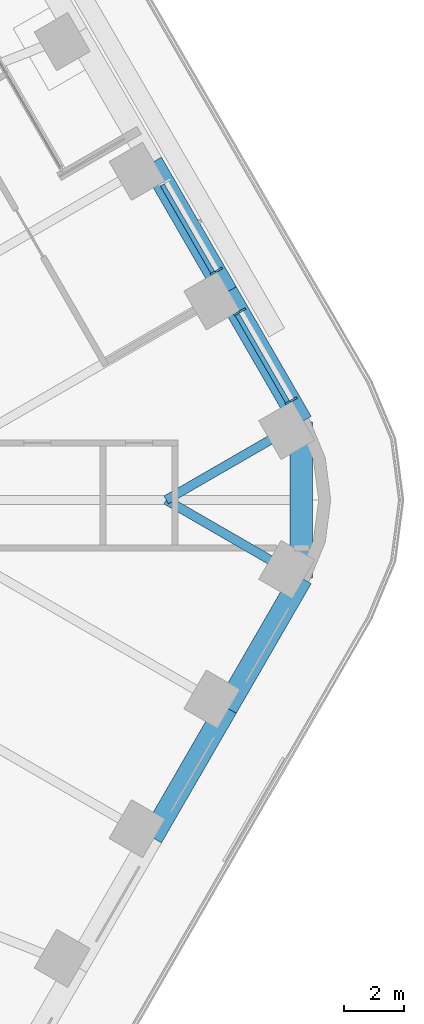
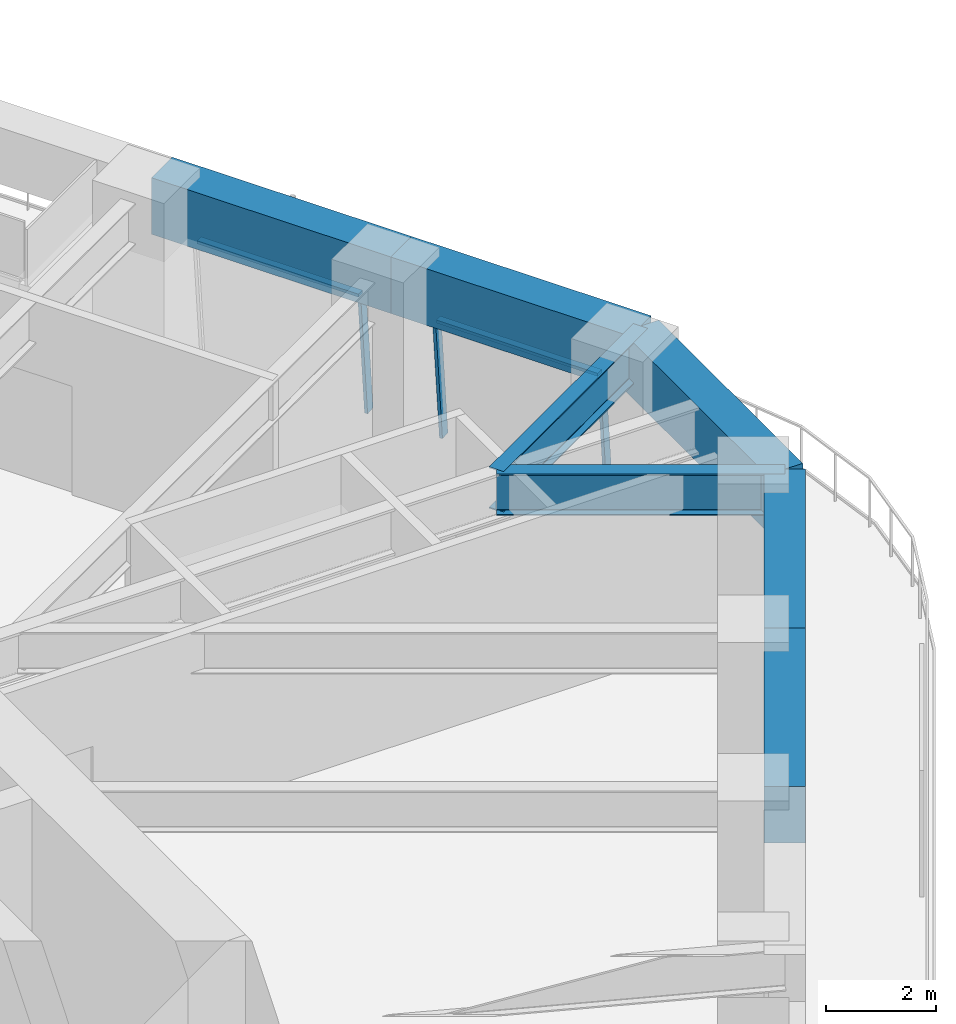
# One storey, part 14 of 24: 7 beams, 5 members, 2 elements without a shape of their own.
"""IFC4 building model written with IfcOpenShell, lengths in metres."""

import ifcopenshell
import ifcopenshell.guid

model = None  # the IFC model being written
_history = None  # IfcOwnerHistory: only IFC2X3 demands one
_inside = {}  # id of a spatial element -> (the spatial element, [elements in it])
_under = {}  # id of a project, library or spatial element -> (it, [spatial elements below it])
_declared = {}  # id of a project -> (the project, [libraries it declares])
_typed = {}  # id of a type object -> (the type object, [elements of that type])
_made_of = {}  # id of a material, layer set ... -> (it, [elements and type objects made of it])


def new_model(schema):
    """Start an empty IFC model of exactly this schema.

    Asked for "IFC4X3", IfcOpenShell would pick the latest addendum, in which some entities
    have other attributes; the version numbers below select the first issue.
    IFC2X3 requires an IfcOwnerHistory on every rooted entity: one is made here for all.
    """
    global model, _history
    if schema == "IFC4X3":
        model = ifcopenshell.file(schema_version=(4, 3, 0, 0))
    else:
        model = ifcopenshell.file(schema=schema)
    _inside.clear()
    _under.clear()
    _declared.clear()
    _typed.clear()
    _made_of.clear()
    _history = None
    if model.schema == "IFC2X3":
        org = make("IfcOrganization", Name="unknown")
        user = make(
            "IfcPersonAndOrganization",
            ThePerson=make("IfcPerson", FamilyName="unknown"),
            TheOrganization=org,
        )
        app = make(
            "IfcApplication",
            ApplicationDeveloper=org,
            Version="unknown",
            ApplicationFullName="unknown",
            ApplicationIdentifier="unknown",
        )
        _history = make(
            "IfcOwnerHistory",
            OwningUser=user,
            OwningApplication=app,
            ChangeAction="ADDED",
            CreationDate=0,
        )
    return model


def make(cls, **values):
    """One entity of the class cls with the attributes given. An attribute that is None is left unset."""
    return model.create_entity(
        cls, **{name: value for name, value in values.items() if value is not None}
    )


def rooted(cls, **values):
    """An entity with a GlobalId (a new one), such as an element, a storey or a relation."""
    return make(cls, GlobalId=ifcopenshell.guid.new(), OwnerHistory=_history, **values)


def si_unit(unit_type, name, prefix=None):
    """IfcSIUnit, for example si_unit("LENGTHUNIT", "METRE", prefix="MILLI")."""
    return make("IfcSIUnit", UnitType=unit_type, Prefix=prefix, Name=name)


def assignment(units):
    """IfcUnitAssignment: the units of a project."""
    return None if units is None else make("IfcUnitAssignment", Units=units)


def point(xyz):
    """IfcCartesianPoint."""
    return None if xyz is None else make("IfcCartesianPoint", Coordinates=xyz)


def direction(xyz):
    """IfcDirection."""
    return None if xyz is None else make("IfcDirection", DirectionRatios=xyz)


def frame(location, z_axis=None, x_axis=None):
    """IfcAxis2Placement3D, a coordinate frame: its origin and axes. An axis left out is left unset."""
    return make(
        "IfcAxis2Placement3D",
        Location=point(location),
        Axis=direction(z_axis),
        RefDirection=direction(x_axis),
    )


def frame_2d(location, x_axis=None):
    """IfcAxis2Placement2D, a coordinate frame in the plane: its origin and x axis."""
    return make(
        "IfcAxis2Placement2D", Location=point(location), RefDirection=direction(x_axis)
    )


def origin():
    """The frame at (0, 0, 0) with its axes left unset."""
    return frame((0.0, 0.0, 0.0))


def origin_2d():
    """The frame at (0, 0) in the plane with its x axis left unset."""
    return frame_2d((0.0, 0.0))


def place(relative_to, where):
    """IfcLocalPlacement: puts the frame where relative to a parent placement (None: the world)."""
    return make(
        "IfcLocalPlacement", PlacementRelTo=relative_to, RelativePlacement=where
    )


def context(
    kind, dimensions, precision=None, world=None, true_north=None, identifier=None
):
    """IfcGeometricRepresentationContext, for example the 3D "Model" context."""
    return make(
        "IfcGeometricRepresentationContext",
        ContextIdentifier=identifier,
        ContextType=kind,
        CoordinateSpaceDimension=dimensions,
        Precision=precision,
        WorldCoordinateSystem=world,
        TrueNorth=true_north,
    )


def subcontext(parent, identifier, kind, view, scale=None):
    """IfcGeometricRepresentationSubContext, for example "Body" below "Model"."""
    return make(
        "IfcGeometricRepresentationSubContext",
        ContextIdentifier=identifier,
        ContextType=kind,
        ParentContext=parent,
        TargetScale=scale,
        TargetView=view,
    )


def project(units=None, contexts=None):
    """IfcProject with its units and contexts."""
    return rooted(
        "IfcProject",
        Name="project",
        RepresentationContexts=contexts,
        UnitsInContext=assignment(units),
    )


def spatial(cls, under=None, at=None, **own):
    """A site, building, storey or space (cls), placed at a placement, below another one or the project."""
    s = rooted(cls, ObjectPlacement=at, **own)
    if under is not None:
        _under.setdefault(under.id(), (under, []))[1].append(s)
    return s


def profile(cls, at=None, kind="AREA", **sizes):
    """A parametric profile (cls). Its sizes go by their IFC names, for example OverallWidth=200.0."""
    return make(cls, ProfileType=kind, Position=at, **sizes)


def rectangle(**sizes):
    """IfcRectangleProfileDef."""
    return profile("IfcRectangleProfileDef", **sizes)


def i_section(**sizes):
    """IfcIShapeProfileDef."""
    return profile("IfcIShapeProfileDef", **sizes)


def extrude(swept, where, along, depth):
    """IfcExtrudedAreaSolid: the profile swept, set in the frame where, extruded along a direction by depth."""
    return make(
        "IfcExtrudedAreaSolid",
        SweptArea=swept,
        Position=where,
        ExtrudedDirection=direction(along),
        Depth=depth,
    )


def shape(context_of_items, identifier, shape_type, items):
    """IfcShapeRepresentation: the items that make up one representation, for example the "Body"."""
    return make(
        "IfcShapeRepresentation",
        ContextOfItems=context_of_items,
        RepresentationIdentifier=identifier,
        RepresentationType=shape_type,
        Items=items,
    )


def material(Name=None, Category=None):
    """IfcMaterial."""
    return make("IfcMaterial", Name=Name, Category=Category)


def material_profile(
    of_material, cross_section, Name=None, Category=None, Priority=None
):
    """IfcMaterialProfile: a cross section and its material."""
    return make(
        "IfcMaterialProfile",
        Name=Name,
        Material=of_material,
        Profile=cross_section,
        Priority=Priority,
        Category=Category,
    )


def profile_set(profiles, Name=None, composite=None):
    """IfcMaterialProfileSet."""
    return make(
        "IfcMaterialProfileSet",
        Name=Name,
        MaterialProfiles=profiles,
        CompositeProfile=composite,
    )


def made_of(thing, what):
    """Note that an element or type object is made of a material, layer set ...; save() writes the relation."""
    if what is not None:
        _made_of.setdefault(what.id(), (what, []))[1].append(thing)
    return thing


def type_object(cls, material=None, **own):
    """A type object (cls), such as IfcWallType, which elements share."""
    return made_of(rooted(cls, **own), material)


def element(
    cls,
    number,
    at=None,
    inside=None,
    cuts=None,
    type_object=None,
    material=None,
    context=None,
    identifier="Body",
    shape_type=None,
    held_by="IfcProductDefinitionShape",
    body=None,
    shapes=None,
    **own,
):
    """One element of the class cls, such as IfcWall. Its Tag is "e" and its number.

    at: its placement. inside: the storey or other place that contains it. cuts: it is an
    opening in that element (IfcRelVoidsElement). A single representation is given by context,
    identifier, shape_type and body (its items); several are given by shapes. held_by: the class
    of the entity that holds the representations. save() writes the other relations.
    """
    e = rooted(cls, Tag="e%d" % number, ObjectPlacement=at, **own)
    if body is not None:
        shapes = [shape(context, identifier, shape_type, body)]
    if shapes is not None:
        e.Representation = make(held_by, Representations=shapes)
    if inside is not None:
        _inside.setdefault(inside.id(), (inside, []))[1].append(e)
    if cuts is not None:
        rooted(
            "IfcRelVoidsElement", RelatingBuildingElement=cuts, RelatedOpeningElement=e
        )
    if type_object is not None:
        _typed.setdefault(type_object.id(), (type_object, []))[1].append(e)
    return made_of(e, material)


def aggregate(whole, parts):
    """IfcRelAggregates: a whole, such as a stair, and the parts it consists of."""
    return rooted("IfcRelAggregates", RelatingObject=whole, RelatedObjects=parts)


def save(model, path):
    """Write the relations noted so far, then the file.

    IfcRelAggregates (storeys below a building ...), IfcRelContainedInSpatialStructure (elements
    in a storey), IfcRelDefinesByType, IfcRelAssociatesMaterial and IfcRelDeclares: one each for
    every whole, place, type object, material and project.
    """
    for whole, parts in _under.values():
        aggregate(whole, parts)
    for where, things in _inside.values():
        rooted(
            "IfcRelContainedInSpatialStructure",
            RelatedElements=things,
            RelatingStructure=where,
        )
    for kind, things in _typed.values():
        rooted("IfcRelDefinesByType", RelatedObjects=things, RelatingType=kind)
    for what, things in _made_of.values():
        rooted("IfcRelAssociatesMaterial", RelatedObjects=things, RelatingMaterial=what)
    for by, libraries in _declared.values():
        rooted("IfcRelDeclares", RelatingContext=by, RelatedDefinitions=libraries)
    model.write(path)


model = new_model("IFC4")

# Units and contexts
model_context = context("Model", 3, precision=1e-05, world=origin(), true_north=direction((0.0, 1.0)))
body_context = subcontext(model_context, "Body", "Model", "MODEL_VIEW")
ifc_project = project(units=[si_unit("LENGTHUNIT", "METRE"), si_unit("AREAUNIT", "SQUARE_METRE"), si_unit("VOLUMEUNIT", "CUBIC_METRE"), si_unit("PLANEANGLEUNIT", "RADIAN"), si_unit("MASSUNIT", "GRAM", prefix="KILO")], contexts=[model_context])

# Site, building, storey
site_placement = place(None, origin())
site = spatial("IfcSite", under=ifc_project, at=site_placement, CompositionType="ELEMENT")
building_placement = place(site_placement, origin())
building = spatial("IfcBuilding", under=site, at=building_placement, Name="Tarfa Lantern Tower", CompositionType="ELEMENT")
storey_placement = place(building_placement, frame((0.0, 0.0, 182.5)))
storey = spatial("IfcBuildingStorey", under=building, at=storey_placement, Name="L41", CompositionType="ELEMENT", Elevation=182.5)

# Curtain wall, members
ifc_material_1 = material(Name="Aluminium framed curtain wall", Category="aluminium")
curtain_wall_type = type_object("IfcCurtainWallType", Name="CW2 CANTED GLAZING MID ZONE 2750", PredefinedType="USERDEFINED", material=ifc_material_1)
curtain_wall_1_placement = place(storey_placement, origin())
curtain_wall_1 = element("IfcCurtainWall", 1, at=curtain_wall_1_placement, inside=storey, type_object=curtain_wall_type, Name="CW2 NE L41", ObjectType="CURTAIN WALL", PredefinedType="USERDEFINED")
ifc_material_2 = material(Name="Aluminium mullion", Category="aluminium")
ifc_material_profile_1 = material_profile(ifc_material_2, rectangle(XDim=0.06494140625, YDim=0.199951171875, at=origin_2d()), Name="AL MULLION 65x200")
ifc_profile_set_1 = profile_set([ifc_material_profile_1], Name="Aluminium mullion")
member_type_1 = type_object("IfcMemberType", Name="CWM1 MULLION 65x200", PredefinedType="MULLION", material=ifc_profile_set_1)
member_1_placement = place(storey_placement, frame((34.3076171875, 3.377685546875, 0.0), z_axis=(-0.078422950161, -0.045267813396, 0.995891894715), x_axis=(0.499919672301, -0.866071776036, 0.0)))
member_1 = element("IfcMember", 2, at=member_1_placement, type_object=member_type_1, Name="CW2 mullion 1", PredefinedType="MULLION", context=body_context, shape_type="SweptSolid", body=[
    extrude(rectangle(XDim=0.06494140625, YDim=0.199951171875, at=origin_2d()), origin(), (0.0, 0.0, 1.0), 2.76123046875),
])
member_2_placement = place(storey_placement, frame((32.588134765625, 6.355712890625, 0.0), z_axis=(-0.078422950161, -0.045267813396, 0.995891894715), x_axis=(0.499919672301, -0.866071776036, 0.0)))
member_2 = element("IfcMember", 3, at=member_2_placement, type_object=member_type_1, Name="CW2 mullion 2", PredefinedType="MULLION", context=body_context, shape_type="SweptSolid", body=[
    extrude(rectangle(XDim=0.06494140625, YDim=0.199951171875, at=origin_2d()), origin(), (0.0, 0.0, 1.0), 2.76123046875),
])

# Curtain wall, member
curtain_wall_2_placement = place(storey_placement, origin())
curtain_wall_2 = element("IfcCurtainWall", 4, at=curtain_wall_2_placement, inside=storey, type_object=curtain_wall_type, Name="CW2 NE L41", ObjectType="CURTAIN WALL", PredefinedType="USERDEFINED")
member_3_placement = place(storey_placement, frame((31.8056640625, 7.7109375, 0.0), z_axis=(-0.078422950161, -0.045267813396, 0.995891894715), x_axis=(0.499919672301, -0.866071776036, 0.0)))
member_3 = element("IfcMember", 5, at=member_3_placement, type_object=member_type_1, Name="CW2 mullion 1", PredefinedType="MULLION", context=body_context, shape_type="SweptSolid", body=[
    extrude(rectangle(XDim=0.06494140625, YDim=0.199951171875, at=origin_2d()), origin(), (0.0, 0.0, 1.0), 2.76123046875),
])

# Member
ifc_material_3 = material(Name="Aluminium transom", Category="aluminium")
ifc_material_profile_2 = material_profile(ifc_material_3, rectangle(XDim=0.14990234375, YDim=0.06494140625, at=origin_2d()), Name="AL TRANSOM 150x65")
ifc_profile_set_2 = profile_set([ifc_material_profile_2], Name="Aluminium transom")
member_type_2 = type_object("IfcMemberType", Name="CWT1 TRANSOM 150x65", PredefinedType="USERDEFINED", material=ifc_profile_set_2)
member_4_placement = place(storey_placement, frame((34.077392578125, 3.2822265625, 2.717529296875), z_axis=(-0.500014760403, 0.866016881694, 0.0), x_axis=(-0.866016881694, -0.500014760403, 0.0)))
member_4 = element("IfcMember", 6, at=member_4_placement, type_object=member_type_2, Name="CW2 transom 1.2", ObjectType="TRANSOM", PredefinedType="USERDEFINED", context=body_context, shape_type="SweptSolid", body=[
    extrude(rectangle(XDim=0.14990234375, YDim=0.06494140625, at=origin_2d()), origin(), (0.0, 0.0, 1.0), 3.3740234375),
])

aggregate(curtain_wall_1, [member_1, member_2, member_4])

member_5_placement = place(storey_placement, frame((31.575439453125, 7.61572265625, 2.717529296875), z_axis=(-0.499991822116, 0.866030125237, 0.0), x_axis=(-0.866030125237, -0.499991822116, 0.0)))
member_5 = element("IfcMember", 7, at=member_5_placement, type_object=member_type_2, Name="CW2 transom 1.2", ObjectType="TRANSOM", PredefinedType="USERDEFINED", context=body_context, shape_type="SweptSolid", body=[
    extrude(rectangle(XDim=0.14990234375, YDim=0.06494140625, at=origin_2d()), origin(), (0.0, 0.0, 1.0), 3.37353515625),
])

aggregate(curtain_wall_2, [member_3, member_5])

# Beams
ifc_material_4 = material(Name="Concrete C80/95", Category="concrete")
ifc_material_profile_3 = material_profile(ifc_material_4, rectangle(XDim=0.75, YDim=1.25, at=origin_2d()), Name="RC 750x1250")
ifc_profile_set_3 = profile_set([ifc_material_profile_3], Name="Concrete C80/95")
beam_type_1 = type_object("IfcBeamType", Name="EB2 RC 750x1250", PredefinedType="SPANDREL", material=ifc_profile_set_3)
for number, where, z_axis, x_axis, name in (
    (8, (34.54296875, 2.610107421875, 3.375), (-0.500022324899, 0.866012514114, 0.0), (-0.866012514114, -0.500022324899, 0.0), "Edge beam NE0"),
    (9, (32.041015625, 6.943359375, 3.375), (-0.500022324899, 0.866012514114, 0.0), (-0.866012514114, -0.500022324899, 0.0), "Edge beam NE1"),
    (10, (29.5390625, -11.276611328125, 3.375), (0.500022324899, 0.866012514114, 0.0), (-0.866012514114, 0.500022324899, 0.0), "Edge beam SE4"),
    (11, (32.041015625, -6.943359375, 3.375), (0.500022324899, 0.866012514114, 0.0), (-0.866012514114, 0.500022324899, 0.0), "Edge beam SE5"),
):
    element("IfcBeam", number, at=place(storey_placement, frame(where, z_axis=z_axis, x_axis=x_axis)), inside=storey, type_object=beam_type_1, Name=name, PredefinedType="SPANDREL", context=body_context, shape_type="SweptSolid", body=[
        extrude(rectangle(XDim=0.75, YDim=1.25, at=origin_2d()), origin(), (0.0, 0.0, 1.0), 5.003662109375),
    ])
beam_placement = place(storey_placement, frame((34.54296875, -2.610107421875, 3.375), z_axis=(0.0, 1.0, 0.0), x_axis=(-1.0, 0.0, 0.0)))
element("IfcBeam", 12, at=beam_placement, inside=storey, type_object=beam_type_1, Name="Edge beam SE6", PredefinedType="SPANDREL", context=body_context, shape_type="SweptSolid", body=[
    extrude(rectangle(XDim=0.75, YDim=1.25, at=origin_2d()), origin(), (0.0, 0.0, 1.0), 5.22021484375),
])
ifc_material_5 = material(Name="Steel S460M", Category="steel")
ifc_material_profile_4 = material_profile(ifc_material_5, i_section(OverallWidth=0.305419921875, OverallDepth=0.91845703125, WebThickness=0.017333984375, FlangeThickness=0.02783203125, FilletRadius=0.01904296875, at=origin_2d()), Name="UB914x305x253")
ifc_profile_set_4 = profile_set([ifc_material_profile_4], Name="Steel S460M")
beam_type_2 = type_object("IfcBeamType", Name="UB914x305x253", PredefinedType="BEAM", material=ifc_profile_set_4)
for number, where, z_axis, x_axis, name in (
    (13, (34.54296875, 2.610107421875, 3.540771484375), (-0.866021250859, -0.500007193008, 0.0), (0.500007193008, -0.866021250859, 0.0), "Floor beam NE0"),
    (14, (34.54296875, -2.610107421875, 3.540771484375), (-0.866021250859, 0.500007193008, 0.0), (-0.500007193008, -0.866021250859, 0.0), "Floor beam SE6"),
):
    element("IfcBeam", number, at=place(storey_placement, frame(where, z_axis=z_axis, x_axis=x_axis)), inside=storey, type_object=beam_type_2, Name=name, PredefinedType="BEAM", context=body_context, shape_type="SweptSolid", body=[
        extrude(i_section(OverallWidth=0.305419921875, OverallDepth=0.91845703125, WebThickness=0.017333984375, FlangeThickness=0.02783203125, FilletRadius=0.01904296875, at=origin_2d()), origin(), (0.0, 0.0, 1.0), 5.22021484375),
    ])

save(model, "model.ifc")
